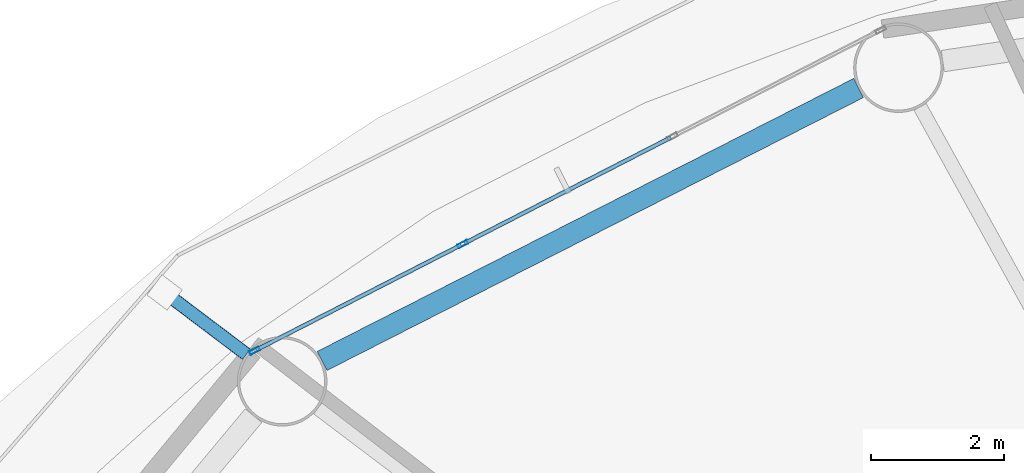
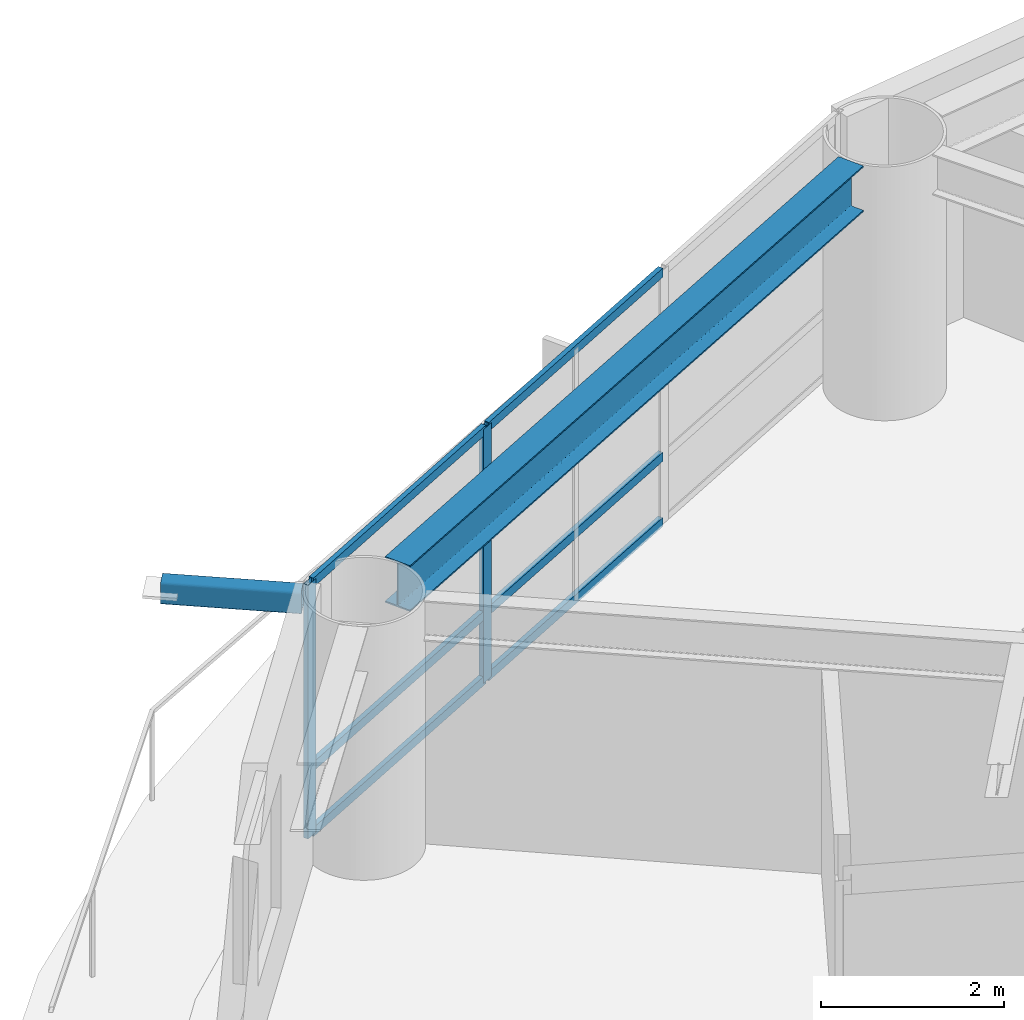
# One storey, part 8 of 24: 9 members, 1 beam, 1 element without a shape of its own.
"""IFC4 building model written with IfcOpenShell, lengths in metres."""

from ifc_helpers import new_model, si_unit, direction, frame, origin, origin_2d, place, context, subcontext, project, spatial, hollow_rectangle, i_section, extrude, material, layer, layer_set, material_profile, profile_set, type_object, element, aggregate, save


model = new_model("IFC4")

# Units and contexts
model_context = context("Model", 3, precision=1e-05, world=origin(), true_north=direction((0.0, 1.0)))
body_context = subcontext(model_context, "Body", "Model", "MODEL_VIEW")
ifc_project = project(units=[si_unit("LENGTHUNIT", "METRE"), si_unit("AREAUNIT", "SQUARE_METRE"), si_unit("VOLUMEUNIT", "CUBIC_METRE"), si_unit("PLANEANGLEUNIT", "RADIAN"), si_unit("MASSUNIT", "GRAM", prefix="KILO")], contexts=[model_context])

# Site, building, storey
site_placement = place(None, origin())
site = spatial("IfcSite", under=ifc_project, at=site_placement, CompositionType="ELEMENT")
building_placement = place(site_placement, origin())
building = spatial("IfcBuilding", under=site, at=building_placement, Name="Sarneth Arch Tower", CompositionType="ELEMENT")
storey_placement = place(building_placement, frame((0.0, 0.0, 87.60009765625)))
storey = spatial("IfcBuildingStorey", under=building, at=storey_placement, Name="L21", CompositionType="ELEMENT", Elevation=87.60009765625)

# Beam
ifc_material_1 = material(Name="Steel S355", Category="steel")
ifc_material_profile_1 = material_profile(ifc_material_1, i_section(OverallWidth=0.323974609375, OverallDepth=0.611083984375, WebThickness=0.0126953125, FlangeThickness=0.01904296875, FilletRadius=0.01904296875, at=origin_2d()), Name="W610x155")
ifc_profile_set_1 = profile_set([ifc_material_profile_1], Name="Steel S355")
beam_type = type_object("IfcBeamType", Name="BM-SPAN-610B", PredefinedType="SPANDREL", material=ifc_profile_set_1)
beam_placement = place(storey_placement, frame((36.2880859375, 61.83447265625, 3.074462890625), z_axis=(-0.891255891792, -0.453500755619, 0.0), x_axis=(0.453500755619, -0.891255891792, 0.0)))
element("IfcBeam", 1, at=beam_placement, inside=storey, type_object=beam_type, Name="L21 Perimeter spandrel beam 06", PredefinedType="SPANDREL", context=body_context, shape_type="SweptSolid", body=[
    extrude(i_section(OverallWidth=0.323974609375, OverallDepth=0.611083984375, WebThickness=0.0126953125, FlangeThickness=0.01904296875, FilletRadius=0.01904296875, at=origin_2d()), origin(), (0.0, 0.0, 1.0), 9.070556640625),
])

# Curtain wall, members
ifc_material_2 = material(Name="Anodised aluminium Type AA25 and solar-control low-e laminated IGU", Category="aluminium")
ifc_layer = layer(ifc_material_2, 0.159912109375)
ifc_layer_set = layer_set([ifc_layer], Name="Anodised aluminium Type AA25 and solar-control low-e laminated IGU")
curtain_wall_type = type_object("IfcCurtainWallType", Name="CW-HOTEL-MID", PredefinedType="NOTDEFINED", material=ifc_layer_set)
curtain_wall_placement = place(storey_placement, origin())
curtain_wall = element("IfcCurtainWall", 2, at=curtain_wall_placement, inside=storey, type_object=curtain_wall_type, Name="L21 Unitised curtain wall facet 06", PredefinedType="NOTDEFINED")
ifc_material_3 = material(Name="Anodised Aluminium 6063-T6", Category="aluminium")
ifc_material_profile_2 = material_profile(ifc_material_3, hollow_rectangle(XDim=0.06005859375, YDim=0.159912109375, WallThickness=0.00390625, at=origin_2d()), Name="AL-MULL-160x60x4")
ifc_profile_set_2 = profile_set([ifc_material_profile_2], Name="Anodised Aluminium 6063-T6")
member_type_1 = type_object("IfcMemberType", Name="CW-MULLION", PredefinedType="MULLION", material=ifc_profile_set_2)
member_1_placement = place(storey_placement, frame((30.322998046875, 59.481201171875, 0.0), z_axis=(0.0, 0.0, 1.0), x_axis=(0.456031365356, -0.889963703649, 0.0)))
member_1 = element("IfcMember", 3, at=member_1_placement, type_object=member_type_1, Name="CW-SYS-4 mullion 3", PredefinedType="MULLION", context=body_context, shape_type="SweptSolid", body=[
    extrude(hollow_rectangle(XDim=0.06005859375, YDim=0.159912109375, WallThickness=0.00390625, at=origin_2d()), origin(), (0.0, 0.0, 1.0), 3.3798828125),
])
member_2_placement = place(storey_placement, frame((27.186767578125, 57.8740234375, 0.0), z_axis=(0.0, 0.0, 1.0), x_axis=(0.456031365356, -0.889963703649, 0.0)))
member_2 = element("IfcMember", 4, at=member_2_placement, type_object=member_type_1, Name="CW-SYS-4 mullion 4", PredefinedType="MULLION", context=body_context, shape_type="SweptSolid", body=[
    extrude(hollow_rectangle(XDim=0.06005859375, YDim=0.159912109375, WallThickness=0.00390625, at=origin_2d()), origin(), (0.0, 0.0, 1.0), 3.3798828125),
])
ifc_material_4 = material(Name="Anodised Aluminium 6063-T6", Category="aluminium")
ifc_material_profile_3 = material_profile(ifc_material_4, hollow_rectangle(XDim=0.06005859375, YDim=0.1201171875, WallThickness=0.00390625, at=origin_2d()), Name="AL-TRAN-120x60x4")
ifc_profile_set_3 = profile_set([ifc_material_profile_3], Name="Anodised Aluminium 6063-T6")
member_type_2 = type_object("IfcMemberType", Name="CW-TRANSOM", PredefinedType="USERDEFINED", material=ifc_profile_set_3)
member_3_placement = place(storey_placement, frame((33.459228515625, 61.088134765625, 0.02978515625), z_axis=(-0.889981813856, -0.455996020823, 0.0), x_axis=(0.455996020823, -0.889981813856, 0.0)))
member_3 = element("IfcMember", 5, at=member_3_placement, type_object=member_type_2, Name="CW-SYS-4 transom 2.1", ObjectType="TRANSOM", PredefinedType="USERDEFINED", context=body_context, shape_type="SweptSolid", body=[
    extrude(hollow_rectangle(XDim=0.06005859375, YDim=0.1201171875, WallThickness=0.00390625, at=origin_2d()), origin(), (0.0, 0.0, 1.0), 3.494140625),
])
member_4_placement = place(storey_placement, frame((33.459228515625, 61.088134765625, 0.89990234375), z_axis=(-0.889981813856, -0.455996020823, 0.0), x_axis=(0.455996020823, -0.889981813856, 0.0)))
member_4 = element("IfcMember", 6, at=member_4_placement, type_object=member_type_2, Name="CW-SYS-4 transom 2.2", ObjectType="TRANSOM", PredefinedType="USERDEFINED", context=body_context, shape_type="SweptSolid", body=[
    extrude(hollow_rectangle(XDim=0.06005859375, YDim=0.1201171875, WallThickness=0.00390625, at=origin_2d()), origin(), (0.0, 0.0, 1.0), 3.494140625),
])
member_5_placement = place(storey_placement, frame((33.459228515625, 61.088134765625, 3.349853515625), z_axis=(-0.889981813856, -0.455996020823, 0.0), x_axis=(0.455996020823, -0.889981813856, 0.0)))
member_5 = element("IfcMember", 7, at=member_5_placement, type_object=member_type_2, Name="CW-SYS-4 transom 2.3", ObjectType="TRANSOM", PredefinedType="USERDEFINED", context=body_context, shape_type="SweptSolid", body=[
    extrude(hollow_rectangle(XDim=0.06005859375, YDim=0.1201171875, WallThickness=0.00390625, at=origin_2d()), origin(), (0.0, 0.0, 1.0), 3.494140625),
])
member_6_placement = place(storey_placement, frame((30.296142578125, 59.467529296875, 0.02978515625), z_axis=(-0.889942905184, -0.456071952122, 0.0), x_axis=(0.456071952122, -0.889942905184, 0.0)))
member_6 = element("IfcMember", 8, at=member_6_placement, type_object=member_type_2, Name="CW-SYS-4 transom 3.1", ObjectType="TRANSOM", PredefinedType="USERDEFINED", context=body_context, shape_type="SweptSolid", body=[
    extrude(hollow_rectangle(XDim=0.06005859375, YDim=0.1201171875, WallThickness=0.00390625, at=origin_2d()), origin(), (0.0, 0.0, 1.0), 3.464111328125),
])
member_7_placement = place(storey_placement, frame((30.296142578125, 59.467529296875, 0.89990234375), z_axis=(-0.889942905184, -0.456071952122, 0.0), x_axis=(0.456071952122, -0.889942905184, 0.0)))
member_7 = element("IfcMember", 9, at=member_7_placement, type_object=member_type_2, Name="CW-SYS-4 transom 3.2", ObjectType="TRANSOM", PredefinedType="USERDEFINED", context=body_context, shape_type="SweptSolid", body=[
    extrude(hollow_rectangle(XDim=0.06005859375, YDim=0.1201171875, WallThickness=0.00390625, at=origin_2d()), origin(), (0.0, 0.0, 1.0), 3.464111328125),
])
member_8_placement = place(storey_placement, frame((30.296142578125, 59.467529296875, 3.349853515625), z_axis=(-0.889942905184, -0.456071952122, 0.0), x_axis=(0.456071952122, -0.889942905184, 0.0)))
member_8 = element("IfcMember", 10, at=member_8_placement, type_object=member_type_2, Name="CW-SYS-4 transom 3.3", ObjectType="TRANSOM", PredefinedType="USERDEFINED", context=body_context, shape_type="SweptSolid", body=[
    extrude(hollow_rectangle(XDim=0.06005859375, YDim=0.1201171875, WallThickness=0.00390625, at=origin_2d()), origin(), (0.0, 0.0, 1.0), 3.464111328125),
])
aggregate(curtain_wall, [member_1, member_2, member_3, member_4, member_5, member_6, member_7, member_8])

# Member
ifc_material_5 = material(Name="Steel S355", Category="steel")
ifc_material_profile_4 = material_profile(ifc_material_5, hollow_rectangle(XDim=0.199951171875, YDim=0.300048828125, WallThickness=0.012451171875, InnerFilletRadius=0.018798828125, OuterFilletRadius=0.03125, at=origin_2d()), Name="RHS300x200x12.5")
ifc_profile_set_4 = profile_set([ifc_material_profile_4], Name="Steel S355")
member_type_3 = type_object("IfcMemberType", Name="MEM-CANT-STRUT", PredefinedType="STRUT", material=ifc_profile_set_4)
member_9_placement = place(storey_placement, frame((27.063720703125, 57.822021484375, 3.219970703125), z_axis=(-0.797796427049, 0.602926911812, 0.0), x_axis=(-0.602926911812, -0.797796427049, 0.0)))
element("IfcMember", 11, at=member_9_placement, inside=storey, type_object=member_type_3, Name="L21 Balcony cantilever bracket 07", PredefinedType="STRUT", context=body_context, shape_type="SweptSolid", body=[
    extrude(hollow_rectangle(XDim=0.199951171875, YDim=0.300048828125, WallThickness=0.012451171875, InnerFilletRadius=0.018798828125, OuterFilletRadius=0.03125, at=origin_2d()), origin(), (0.0, 0.0, 1.0), 1.5458984375),
])

save(model, "model.ifc")
